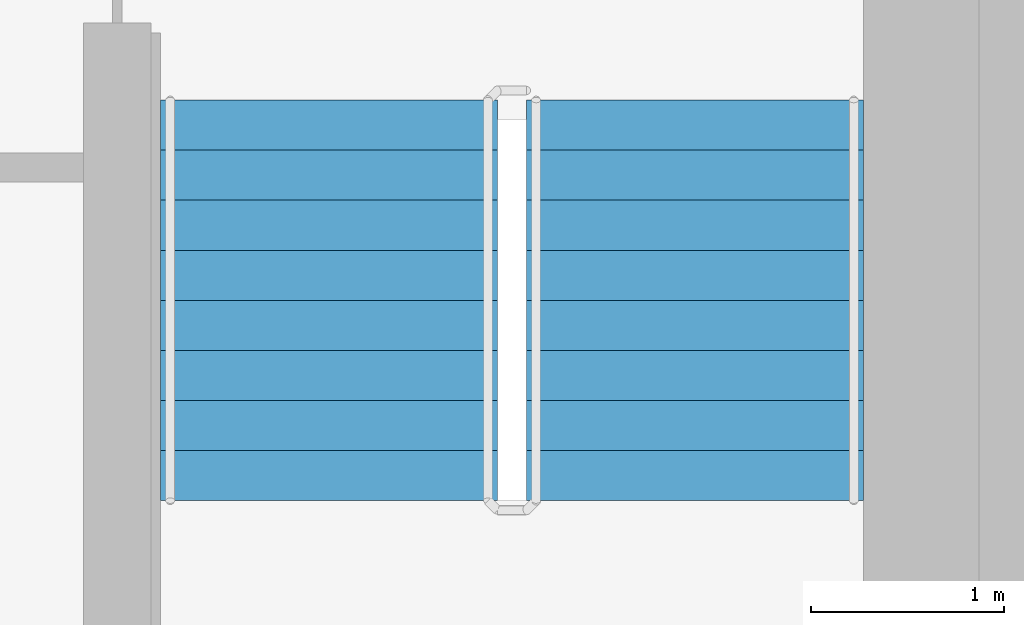
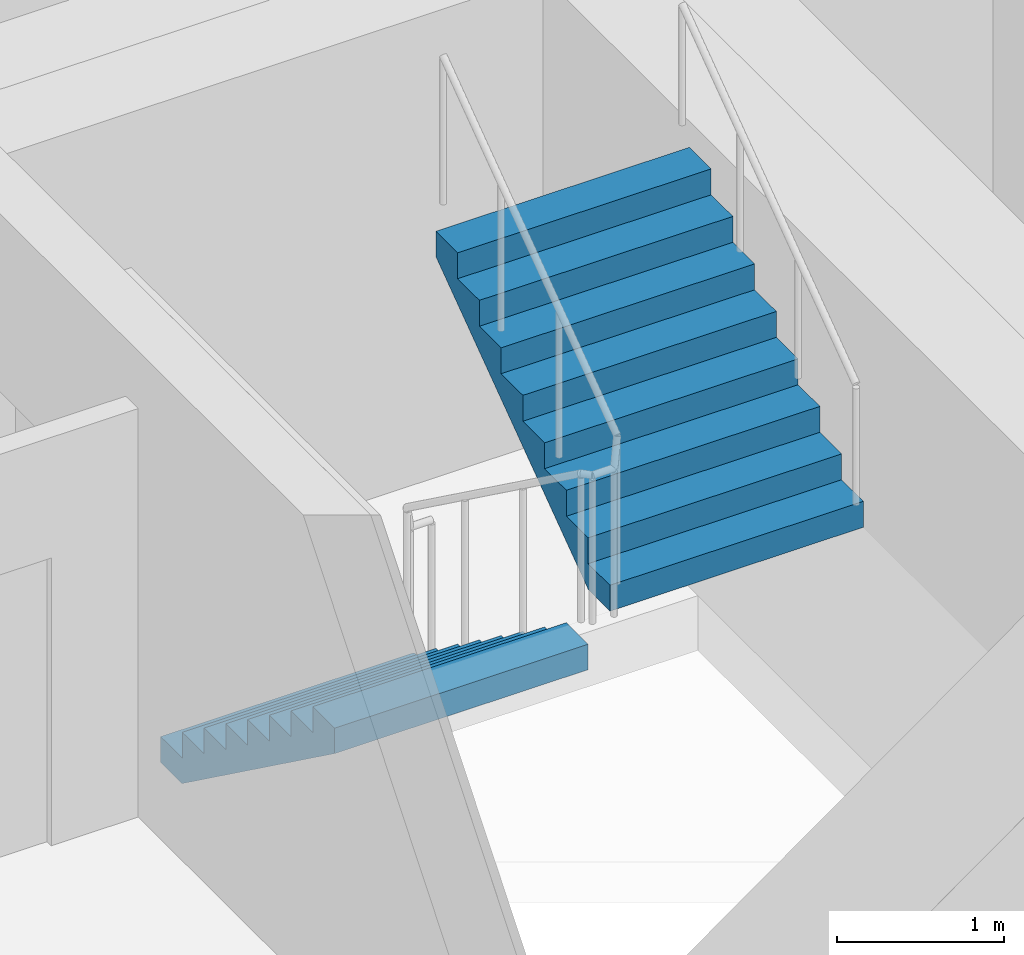
# One storey, part 14 of 18: 2 stair flights, 1 element without a shape of its own.
"""IFC4 building model written with IfcOpenShell, lengths in metres."""

import ifcopenshell
import ifcopenshell.guid

model = None  # the IFC model being written
_history = None  # IfcOwnerHistory: only IFC2X3 demands one
_inside = {}  # id of a spatial element -> (the spatial element, [elements in it])
_under = {}  # id of a project, library or spatial element -> (it, [spatial elements below it])
_declared = {}  # id of a project -> (the project, [libraries it declares])
_typed = {}  # id of a type object -> (the type object, [elements of that type])
_made_of = {}  # id of a material, layer set ... -> (it, [elements and type objects made of it])


def new_model(schema):
    """Start an empty IFC model of exactly this schema.

    Asked for "IFC4X3", IfcOpenShell would pick the latest addendum, in which some entities
    have other attributes; the version numbers below select the first issue.
    IFC2X3 requires an IfcOwnerHistory on every rooted entity: one is made here for all.
    """
    global model, _history
    if schema == "IFC4X3":
        model = ifcopenshell.file(schema_version=(4, 3, 0, 0))
    else:
        model = ifcopenshell.file(schema=schema)
    _inside.clear()
    _under.clear()
    _declared.clear()
    _typed.clear()
    _made_of.clear()
    _history = None
    if model.schema == "IFC2X3":
        org = make("IfcOrganization", Name="unknown")
        user = make(
            "IfcPersonAndOrganization",
            ThePerson=make("IfcPerson", FamilyName="unknown"),
            TheOrganization=org,
        )
        app = make(
            "IfcApplication",
            ApplicationDeveloper=org,
            Version="unknown",
            ApplicationFullName="unknown",
            ApplicationIdentifier="unknown",
        )
        _history = make(
            "IfcOwnerHistory",
            OwningUser=user,
            OwningApplication=app,
            ChangeAction="ADDED",
            CreationDate=0,
        )
    return model


def make(cls, **values):
    """One entity of the class cls with the attributes given. An attribute that is None is left unset."""
    return model.create_entity(
        cls, **{name: value for name, value in values.items() if value is not None}
    )


def rooted(cls, **values):
    """An entity with a GlobalId (a new one), such as an element, a storey or a relation."""
    return make(cls, GlobalId=ifcopenshell.guid.new(), OwnerHistory=_history, **values)


def si_unit(unit_type, name, prefix=None):
    """IfcSIUnit, for example si_unit("LENGTHUNIT", "METRE", prefix="MILLI")."""
    return make("IfcSIUnit", UnitType=unit_type, Prefix=prefix, Name=name)


def assignment(units):
    """IfcUnitAssignment: the units of a project."""
    return None if units is None else make("IfcUnitAssignment", Units=units)


def point(xyz):
    """IfcCartesianPoint."""
    return None if xyz is None else make("IfcCartesianPoint", Coordinates=xyz)


def direction(xyz):
    """IfcDirection."""
    return None if xyz is None else make("IfcDirection", DirectionRatios=xyz)


def frame(location, z_axis=None, x_axis=None):
    """IfcAxis2Placement3D, a coordinate frame: its origin and axes. An axis left out is left unset."""
    return make(
        "IfcAxis2Placement3D",
        Location=point(location),
        Axis=direction(z_axis),
        RefDirection=direction(x_axis),
    )


def origin():
    """The frame at (0, 0, 0) with its axes left unset."""
    return frame((0.0, 0.0, 0.0))


def place(relative_to, where):
    """IfcLocalPlacement: puts the frame where relative to a parent placement (None: the world)."""
    return make(
        "IfcLocalPlacement", PlacementRelTo=relative_to, RelativePlacement=where
    )


def context(
    kind, dimensions, precision=None, world=None, true_north=None, identifier=None
):
    """IfcGeometricRepresentationContext, for example the 3D "Model" context."""
    return make(
        "IfcGeometricRepresentationContext",
        ContextIdentifier=identifier,
        ContextType=kind,
        CoordinateSpaceDimension=dimensions,
        Precision=precision,
        WorldCoordinateSystem=world,
        TrueNorth=true_north,
    )


def subcontext(parent, identifier, kind, view, scale=None):
    """IfcGeometricRepresentationSubContext, for example "Body" below "Model"."""
    return make(
        "IfcGeometricRepresentationSubContext",
        ContextIdentifier=identifier,
        ContextType=kind,
        ParentContext=parent,
        TargetScale=scale,
        TargetView=view,
    )


def project(units=None, contexts=None):
    """IfcProject with its units and contexts."""
    return rooted(
        "IfcProject",
        Name="project",
        RepresentationContexts=contexts,
        UnitsInContext=assignment(units),
    )


def spatial(cls, under=None, at=None, **own):
    """A site, building, storey or space (cls), placed at a placement, below another one or the project."""
    s = rooted(cls, ObjectPlacement=at, **own)
    if under is not None:
        _under.setdefault(under.id(), (under, []))[1].append(s)
    return s


def faces_of(points, faces, orient=None, outer=None):
    """IfcFace entities. A face is a list of loops; a loop is a list of indices into points, from 0.

    orient and outer hold one flag for each loop. By default every Orientation is true, the
    first loop of a face is its IfcFaceOuterBound and the others are IfcFaceBound.
    """
    made = []
    for i, loops in enumerate(faces):
        bounds = []
        for j, loop in enumerate(loops):
            is_outer = j == 0 if outer is None else outer[i][j]
            bounds.append(
                make(
                    "IfcFaceOuterBound" if is_outer else "IfcFaceBound",
                    Bound=make("IfcPolyLoop", Polygon=[points[k] for k in loop]),
                    Orientation=True if orient is None else orient[i][j],
                )
            )
        made.append(make("IfcFace", Bounds=bounds))
    return made


def faceted_brep(points, faces, orient=None, outer=None, voids=None):
    """IfcFacetedBrep: a solid bounded by flat faces; with voids (closed shells), ...WithVoids."""
    shared = [point(p) for p in points]
    hull = make("IfcClosedShell", CfsFaces=faces_of(shared, faces, orient, outer))
    if voids is None:
        return make("IfcFacetedBrep", Outer=hull)
    return make(
        "IfcFacetedBrepWithVoids",
        Outer=hull,
        Voids=[
            make(cls, CfsFaces=faces_of(shared, fs, o, b)) for cls, fs, o, b in voids
        ],
    )


def shape(context_of_items, identifier, shape_type, items):
    """IfcShapeRepresentation: the items that make up one representation, for example the "Body"."""
    return make(
        "IfcShapeRepresentation",
        ContextOfItems=context_of_items,
        RepresentationIdentifier=identifier,
        RepresentationType=shape_type,
        Items=items,
    )


def material(Name=None, Category=None):
    """IfcMaterial."""
    return make("IfcMaterial", Name=Name, Category=Category)


def made_of(thing, what):
    """Note that an element or type object is made of a material, layer set ...; save() writes the relation."""
    if what is not None:
        _made_of.setdefault(what.id(), (what, []))[1].append(thing)
    return thing


def type_object(cls, material=None, **own):
    """A type object (cls), such as IfcWallType, which elements share."""
    return made_of(rooted(cls, **own), material)


def element(
    cls,
    number,
    at=None,
    inside=None,
    cuts=None,
    type_object=None,
    material=None,
    context=None,
    identifier="Body",
    shape_type=None,
    held_by="IfcProductDefinitionShape",
    body=None,
    shapes=None,
    **own,
):
    """One element of the class cls, such as IfcWall. Its Tag is "e" and its number.

    at: its placement. inside: the storey or other place that contains it. cuts: it is an
    opening in that element (IfcRelVoidsElement). A single representation is given by context,
    identifier, shape_type and body (its items); several are given by shapes. held_by: the class
    of the entity that holds the representations. save() writes the other relations.
    """
    e = rooted(cls, Tag="e%d" % number, ObjectPlacement=at, **own)
    if body is not None:
        shapes = [shape(context, identifier, shape_type, body)]
    if shapes is not None:
        e.Representation = make(held_by, Representations=shapes)
    if inside is not None:
        _inside.setdefault(inside.id(), (inside, []))[1].append(e)
    if cuts is not None:
        rooted(
            "IfcRelVoidsElement", RelatingBuildingElement=cuts, RelatedOpeningElement=e
        )
    if type_object is not None:
        _typed.setdefault(type_object.id(), (type_object, []))[1].append(e)
    return made_of(e, material)


def aggregate(whole, parts):
    """IfcRelAggregates: a whole, such as a stair, and the parts it consists of."""
    return rooted("IfcRelAggregates", RelatingObject=whole, RelatedObjects=parts)


def save(model, path):
    """Write the relations noted so far, then the file.

    IfcRelAggregates (storeys below a building ...), IfcRelContainedInSpatialStructure (elements
    in a storey), IfcRelDefinesByType, IfcRelAssociatesMaterial and IfcRelDeclares: one each for
    every whole, place, type object, material and project.
    """
    for whole, parts in _under.values():
        aggregate(whole, parts)
    for where, things in _inside.values():
        rooted(
            "IfcRelContainedInSpatialStructure",
            RelatedElements=things,
            RelatingStructure=where,
        )
    for kind, things in _typed.values():
        rooted("IfcRelDefinesByType", RelatedObjects=things, RelatingType=kind)
    for what, things in _made_of.values():
        rooted("IfcRelAssociatesMaterial", RelatedObjects=things, RelatingMaterial=what)
    for by, libraries in _declared.values():
        rooted("IfcRelDeclares", RelatingContext=by, RelatedDefinitions=libraries)
    model.write(path)


model = new_model("IFC4")

# Units and contexts
model_context = context("Model", 3, precision=1e-05, world=origin(), true_north=direction((0.0, 1.0)))
body_context = subcontext(model_context, "Body", "Model", "MODEL_VIEW")
ifc_project = project(units=[si_unit("LENGTHUNIT", "METRE"), si_unit("AREAUNIT", "SQUARE_METRE"), si_unit("VOLUMEUNIT", "CUBIC_METRE"), si_unit("PLANEANGLEUNIT", "RADIAN"), si_unit("MASSUNIT", "GRAM", prefix="KILO")], contexts=[model_context])

# Site, building, storey
site_placement = place(None, origin())
site = spatial("IfcSite", under=ifc_project, at=site_placement, CompositionType="ELEMENT")
building_placement = place(site_placement, origin())
building = spatial("IfcBuilding", under=site, at=building_placement, Name="Ipe Terrace Towers", CompositionType="ELEMENT")
storey_placement = place(building_placement, frame((0.0, 0.0, 230.0)))
storey = spatial("IfcBuildingStorey", under=building, at=storey_placement, Name="L64", CompositionType="ELEMENT", Elevation=230.0)

# Stair, stair flights
ifc_material_1 = material(Name="Concrete C30/37", Category="concrete")
stair_type = type_object("IfcStairType", Name="Protected exit stair", PredefinedType="HALF_TURN_STAIR", material=ifc_material_1)
stair_placement = place(storey_placement, origin())
stair = element("IfcStair", 1, at=stair_placement, inside=storey, type_object=stair_type, Name="L64 Exit stair T2-C2", PredefinedType="HALF_TURN_STAIR")
ifc_material_2 = material(Name="Concrete C30/37", Category="concrete")
stair_flight_type = type_object("IfcStairFlightType", Name="Exit stair flight 1750", PredefinedType="STRAIGHT", material=ifc_material_2)
stair_flight_1_placement = place(storey_placement, frame((38.77490234375, -9.699951171875, 0.0), z_axis=(0.0, 0.0, 1.0), x_axis=(0.0, -1.0, 0.0)))
stair_flight_1 = element("IfcStairFlight", 2, at=stair_flight_1_placement, type_object=stair_flight_type, Name="T2-ST2 flight 1", NumberOfRisers=9, NumberOfTreads=8, PredefinedType="STRAIGHT", RiserHeight=0.188888889, TreadLength=0.26, context=body_context, shape_type="Brep", body=[
    faceted_brep([(0.255126953125, -0.875, 0.0), (2.080078125, -0.875, 1.325927734375), (2.080078125, -0.875, 1.51123046875), (1.820068359375, -0.875, 1.51123046875), (1.820068359375, -0.875, 1.322265625), (1.56005859375, -0.875, 1.322265625), (1.56005859375, -0.875, 1.13330078125), (1.300048828125, -0.875, 1.13330078125), (1.300048828125, -0.875, 0.9443359375), (1.0400390625, -0.875, 0.9443359375), (1.0400390625, -0.875, 0.755615234375), (0.780029296875, -0.875, 0.755615234375), (0.780029296875, -0.875, 0.566650390625), (0.52001953125, -0.875, 0.566650390625), (0.52001953125, -0.875, 0.377685546875), (0.260009765625, -0.875, 0.377685546875), (0.260009765625, -0.875, 0.18896484375), (0.0, -0.875, 0.18896484375), (0.0, -0.875, 0.0), (0.0, 0.875, 0.0), (0.0, 0.875, 0.18896484375), (0.260009765625, 0.875, 0.18896484375), (0.260009765625, 0.875, 0.377685546875), (0.52001953125, 0.875, 0.377685546875), (0.52001953125, 0.875, 0.566650390625), (0.780029296875, 0.875, 0.566650390625), (0.780029296875, 0.875, 0.755615234375), (1.0400390625, 0.875, 0.755615234375), (1.0400390625, 0.875, 0.9443359375), (1.300048828125, 0.875, 0.9443359375), (1.300048828125, 0.875, 1.13330078125), (1.56005859375, 0.875, 1.13330078125), (1.56005859375, 0.875, 1.322265625), (1.820068359375, 0.875, 1.322265625), (1.820068359375, 0.875, 1.51123046875), (2.080078125, 0.875, 1.51123046875), (2.080078125, 0.875, 1.325927734375), (0.255126953125, 0.875, 0.0), (0.0, -0.300048828125, 0.18896484375), (0.0, -0.1201171875, 0.18896484375), (0.0, -0.06005859375, 0.18896484375), (0.0, -0.030029296875, 0.18896484375), (0.0, -0.010009765625, 0.18896484375), (0.0, 0.0, 0.18896484375), (0.0, 0.010009765625, 0.18896484375), (0.0, 0.030029296875, 0.18896484375), (0.0, 0.06005859375, 0.18896484375), (0.0, 0.1201171875, 0.18896484375), (0.0, 0.300048828125, 0.18896484375), (0.0, 0.300048828125, 0.0), (0.0, 0.1201171875, 0.0), (0.0, 0.06005859375, 0.0), (0.0, 0.030029296875, 0.0), (0.0, 0.010009765625, 0.0), (0.0, 0.0, 0.0), (0.0, -0.010009765625, 0.0), (0.0, -0.030029296875, 0.0), (0.0, -0.06005859375, 0.0), (0.0, -0.1201171875, 0.0), (0.0, -0.300048828125, 0.0), (0.260009765625, -0.300048828125, 0.18896484375), (0.260009765625, -0.1201171875, 0.18896484375), (0.260009765625, -0.06005859375, 0.18896484375), (0.260009765625, -0.030029296875, 0.18896484375), (0.260009765625, -0.010009765625, 0.18896484375), (0.260009765625, 0.0, 0.18896484375), (0.260009765625, 0.010009765625, 0.18896484375), (0.260009765625, 0.030029296875, 0.18896484375), (0.260009765625, 0.06005859375, 0.18896484375), (0.260009765625, 0.1201171875, 0.18896484375), (0.260009765625, 0.300048828125, 0.18896484375), (0.260009765625, -0.300048828125, 0.377685546875), (0.260009765625, -0.1201171875, 0.377685546875), (0.260009765625, -0.06005859375, 0.377685546875), (0.260009765625, -0.030029296875, 0.377685546875), (0.260009765625, -0.010009765625, 0.377685546875), (0.260009765625, 0.0, 0.377685546875), (0.260009765625, 0.010009765625, 0.377685546875), (0.260009765625, 0.030029296875, 0.377685546875), (0.260009765625, 0.06005859375, 0.377685546875), (0.260009765625, 0.1201171875, 0.377685546875), (0.260009765625, 0.300048828125, 0.377685546875), (0.52001953125, -0.300048828125, 0.377685546875), (0.52001953125, -0.1201171875, 0.377685546875), (0.52001953125, -0.06005859375, 0.377685546875), (0.52001953125, -0.030029296875, 0.377685546875), (0.52001953125, -0.010009765625, 0.377685546875), (0.52001953125, 0.0, 0.377685546875), (0.52001953125, 0.010009765625, 0.377685546875), (0.52001953125, 0.030029296875, 0.377685546875), (0.52001953125, 0.06005859375, 0.377685546875), (0.52001953125, 0.1201171875, 0.377685546875), (0.52001953125, 0.300048828125, 0.377685546875), (0.52001953125, -0.300048828125, 0.566650390625), (0.52001953125, -0.1201171875, 0.566650390625), (0.52001953125, -0.06005859375, 0.566650390625), (0.52001953125, -0.030029296875, 0.566650390625), (0.52001953125, -0.010009765625, 0.566650390625), (0.52001953125, 0.0, 0.566650390625), (0.52001953125, 0.010009765625, 0.566650390625), (0.52001953125, 0.030029296875, 0.566650390625), (0.52001953125, 0.06005859375, 0.566650390625), (0.52001953125, 0.1201171875, 0.566650390625), (0.52001953125, 0.300048828125, 0.566650390625), (0.780029296875, -0.300048828125, 0.566650390625), (0.780029296875, -0.1201171875, 0.566650390625), (0.780029296875, -0.06005859375, 0.566650390625), (0.780029296875, -0.030029296875, 0.566650390625), (0.780029296875, -0.010009765625, 0.566650390625), (0.780029296875, 0.0, 0.566650390625), (0.780029296875, 0.010009765625, 0.566650390625), (0.780029296875, 0.030029296875, 0.566650390625), (0.780029296875, 0.06005859375, 0.566650390625), (0.780029296875, 0.1201171875, 0.566650390625), (0.780029296875, 0.300048828125, 0.566650390625), (0.780029296875, -0.300048828125, 0.755615234375), (0.780029296875, -0.1201171875, 0.755615234375), (0.780029296875, -0.06005859375, 0.755615234375), (0.780029296875, -0.030029296875, 0.755615234375), (0.780029296875, -0.010009765625, 0.755615234375), (0.780029296875, 0.0, 0.755615234375), (0.780029296875, 0.010009765625, 0.755615234375), (0.780029296875, 0.030029296875, 0.755615234375), (0.780029296875, 0.06005859375, 0.755615234375), (0.780029296875, 0.1201171875, 0.755615234375), (0.780029296875, 0.300048828125, 0.755615234375), (1.0400390625, -0.300048828125, 0.755615234375), (1.0400390625, -0.1201171875, 0.755615234375), (1.0400390625, -0.06005859375, 0.755615234375), (1.0400390625, -0.030029296875, 0.755615234375), (1.0400390625, -0.010009765625, 0.755615234375), (1.0400390625, 0.0, 0.755615234375), (1.0400390625, 0.010009765625, 0.755615234375), (1.0400390625, 0.030029296875, 0.755615234375), (1.0400390625, 0.06005859375, 0.755615234375), (1.0400390625, 0.1201171875, 0.755615234375), (1.0400390625, 0.300048828125, 0.755615234375), (1.0400390625, -0.300048828125, 0.9443359375), (1.0400390625, -0.1201171875, 0.9443359375), (1.0400390625, -0.06005859375, 0.9443359375), (1.0400390625, -0.030029296875, 0.9443359375), (1.0400390625, -0.010009765625, 0.9443359375), (1.0400390625, 0.0, 0.9443359375), (1.0400390625, 0.010009765625, 0.9443359375), (1.0400390625, 0.030029296875, 0.9443359375), (1.0400390625, 0.06005859375, 0.9443359375), (1.0400390625, 0.1201171875, 0.9443359375), (1.0400390625, 0.300048828125, 0.9443359375), (1.300048828125, -0.300048828125, 0.9443359375), (1.300048828125, -0.1201171875, 0.9443359375), (1.300048828125, -0.06005859375, 0.9443359375), (1.300048828125, -0.030029296875, 0.9443359375), (1.300048828125, -0.010009765625, 0.9443359375), (1.300048828125, 0.0, 0.9443359375), (1.300048828125, 0.010009765625, 0.9443359375), (1.300048828125, 0.030029296875, 0.9443359375), (1.300048828125, 0.06005859375, 0.9443359375), (1.300048828125, 0.1201171875, 0.9443359375), (1.300048828125, 0.300048828125, 0.9443359375), (1.300048828125, -0.300048828125, 1.13330078125), (1.300048828125, -0.1201171875, 1.13330078125), (1.300048828125, -0.06005859375, 1.13330078125), (1.300048828125, -0.030029296875, 1.13330078125), (1.300048828125, -0.010009765625, 1.13330078125), (1.300048828125, 0.0, 1.13330078125), (1.300048828125, 0.010009765625, 1.13330078125), (1.300048828125, 0.030029296875, 1.13330078125), (1.300048828125, 0.06005859375, 1.13330078125), (1.300048828125, 0.1201171875, 1.13330078125), (1.300048828125, 0.300048828125, 1.13330078125), (1.56005859375, -0.300048828125, 1.13330078125), (1.56005859375, -0.1201171875, 1.13330078125), (1.56005859375, -0.06005859375, 1.13330078125), (1.56005859375, -0.030029296875, 1.13330078125), (1.56005859375, -0.010009765625, 1.13330078125), (1.56005859375, 0.0, 1.13330078125), (1.56005859375, 0.010009765625, 1.13330078125), (1.56005859375, 0.030029296875, 1.13330078125), (1.56005859375, 0.06005859375, 1.13330078125), (1.56005859375, 0.1201171875, 1.13330078125), (1.56005859375, 0.300048828125, 1.13330078125), (1.56005859375, -0.300048828125, 1.322265625), (1.56005859375, -0.1201171875, 1.322265625), (1.56005859375, -0.06005859375, 1.322265625), (1.56005859375, -0.030029296875, 1.322265625), (1.56005859375, -0.010009765625, 1.322265625), (1.56005859375, 0.0, 1.322265625), (1.56005859375, 0.010009765625, 1.322265625), (1.56005859375, 0.030029296875, 1.322265625), (1.56005859375, 0.06005859375, 1.322265625), (1.56005859375, 0.1201171875, 1.322265625), (1.56005859375, 0.300048828125, 1.322265625), (1.820068359375, -0.300048828125, 1.322265625), (1.820068359375, -0.1201171875, 1.322265625), (1.820068359375, -0.06005859375, 1.322265625), (1.820068359375, -0.030029296875, 1.322265625), (1.820068359375, -0.010009765625, 1.322265625), (1.820068359375, 0.0, 1.322265625), (1.820068359375, 0.010009765625, 1.322265625), (1.820068359375, 0.030029296875, 1.322265625), (1.820068359375, 0.06005859375, 1.322265625), (1.820068359375, 0.1201171875, 1.322265625), (1.820068359375, 0.300048828125, 1.322265625), (1.820068359375, -0.300048828125, 1.51123046875), (1.820068359375, -0.1201171875, 1.51123046875), (1.820068359375, -0.06005859375, 1.51123046875), (1.820068359375, -0.030029296875, 1.51123046875), (1.820068359375, -0.010009765625, 1.51123046875), (1.820068359375, 0.0, 1.51123046875), (1.820068359375, 0.010009765625, 1.51123046875), (1.820068359375, 0.030029296875, 1.51123046875), (1.820068359375, 0.06005859375, 1.51123046875), (1.820068359375, 0.1201171875, 1.51123046875), (1.820068359375, 0.300048828125, 1.51123046875), (2.080078125, -0.300048828125, 1.51123046875), (2.080078125, -0.1201171875, 1.51123046875), (2.080078125, -0.06005859375, 1.51123046875), (2.080078125, -0.030029296875, 1.51123046875), (2.080078125, -0.010009765625, 1.51123046875), (2.080078125, 0.0, 1.51123046875), (2.080078125, 0.010009765625, 1.51123046875), (2.080078125, 0.030029296875, 1.51123046875), (2.080078125, 0.06005859375, 1.51123046875), (2.080078125, 0.1201171875, 1.51123046875), (2.080078125, 0.300048828125, 1.51123046875), (2.080078125, -0.300048828125, 1.325927734375), (2.080078125, -0.1201171875, 1.325927734375), (2.080078125, -0.06005859375, 1.325927734375), (2.080078125, -0.030029296875, 1.325927734375), (2.080078125, -0.010009765625, 1.325927734375), (2.080078125, 0.0, 1.325927734375), (2.080078125, 0.010009765625, 1.325927734375), (2.080078125, 0.030029296875, 1.325927734375), (2.080078125, 0.06005859375, 1.325927734375), (2.080078125, 0.1201171875, 1.325927734375), (2.080078125, 0.300048828125, 1.325927734375), (0.255126953125, -0.300048828125, 0.0), (0.255126953125, -0.1201171875, 0.0), (0.255126953125, -0.06005859375, 0.0), (0.255126953125, -0.030029296875, 0.0), (0.255126953125, -0.010009765625, 0.0), (0.255126953125, 0.0, 0.0), (0.255126953125, 0.010009765625, 0.0), (0.255126953125, 0.030029296875, 0.0), (0.255126953125, 0.06005859375, 0.0), (0.255126953125, 0.1201171875, 0.0), (0.255126953125, 0.300048828125, 0.0)], [[[0, 1, 2, 3, 4, 5, 6, 7, 8, 9, 10, 11, 12, 13, 14, 15, 16, 17, 18]], [[19, 20, 21, 22, 23, 24, 25, 26, 27, 28, 29, 30, 31, 32, 33, 34, 35, 36, 37]], [[17, 38, 39, 40, 41, 42, 43, 44, 45, 46, 47, 48, 20, 19, 49, 50, 51, 52, 53, 54, 55, 56, 57, 58, 59, 18]], [[16, 60, 61, 62, 63, 64, 65, 66, 67, 68, 69, 70, 21, 20, 48, 47, 46, 45, 44, 43, 42, 41, 40, 39, 38, 17]], [[15, 71, 72, 73, 74, 75, 76, 77, 78, 79, 80, 81, 22, 21, 70, 69, 68, 67, 66, 65, 64, 63, 62, 61, 60, 16]], [[14, 82, 83, 84, 85, 86, 87, 88, 89, 90, 91, 92, 23, 22, 81, 80, 79, 78, 77, 76, 75, 74, 73, 72, 71, 15]], [[13, 93, 94, 95, 96, 97, 98, 99, 100, 101, 102, 103, 24, 23, 92, 91, 90, 89, 88, 87, 86, 85, 84, 83, 82, 14]], [[12, 104, 105, 106, 107, 108, 109, 110, 111, 112, 113, 114, 25, 24, 103, 102, 101, 100, 99, 98, 97, 96, 95, 94, 93, 13]], [[11, 115, 116, 117, 118, 119, 120, 121, 122, 123, 124, 125, 26, 25, 114, 113, 112, 111, 110, 109, 108, 107, 106, 105, 104, 12]], [[10, 126, 127, 128, 129, 130, 131, 132, 133, 134, 135, 136, 27, 26, 125, 124, 123, 122, 121, 120, 119, 118, 117, 116, 115, 11]], [[9, 137, 138, 139, 140, 141, 142, 143, 144, 145, 146, 147, 28, 27, 136, 135, 134, 133, 132, 131, 130, 129, 128, 127, 126, 10]], [[8, 148, 149, 150, 151, 152, 153, 154, 155, 156, 157, 158, 29, 28, 147, 146, 145, 144, 143, 142, 141, 140, 139, 138, 137, 9]], [[7, 159, 160, 161, 162, 163, 164, 165, 166, 167, 168, 169, 30, 29, 158, 157, 156, 155, 154, 153, 152, 151, 150, 149, 148, 8]], [[6, 170, 171, 172, 173, 174, 175, 176, 177, 178, 179, 180, 31, 30, 169, 168, 167, 166, 165, 164, 163, 162, 161, 160, 159, 7]], [[5, 181, 182, 183, 184, 185, 186, 187, 188, 189, 190, 191, 32, 31, 180, 179, 178, 177, 176, 175, 174, 173, 172, 171, 170, 6]], [[4, 192, 193, 194, 195, 196, 197, 198, 199, 200, 201, 202, 33, 32, 191, 190, 189, 188, 187, 186, 185, 184, 183, 182, 181, 5]], [[3, 203, 204, 205, 206, 207, 208, 209, 210, 211, 212, 213, 34, 33, 202, 201, 200, 199, 198, 197, 196, 195, 194, 193, 192, 4]], [[2, 214, 215, 216, 217, 218, 219, 220, 221, 222, 223, 224, 35, 34, 213, 212, 211, 210, 209, 208, 207, 206, 205, 204, 203, 3]], [[1, 225, 226, 227, 228, 229, 230, 231, 232, 233, 234, 235, 36, 35, 224, 223, 222, 221, 220, 219, 218, 217, 216, 215, 214, 2]], [[0, 236, 237, 238, 239, 240, 241, 242, 243, 244, 245, 246, 37, 36, 235, 234, 233, 232, 231, 230, 229, 228, 227, 226, 225, 1]], [[18, 59, 58, 57, 56, 55, 54, 53, 52, 51, 50, 49, 19, 37, 246, 245, 244, 243, 242, 241, 240, 239, 238, 237, 236, 0]]]),
])
stair_flight_2_placement = place(storey_placement, frame((40.675048828125, -11.780029296875, 1.699951171875), z_axis=(0.0, 0.0, 1.0), x_axis=(0.0, 1.0, 0.0)))
stair_flight_2 = element("IfcStairFlight", 3, at=stair_flight_2_placement, type_object=stair_flight_type, Name="T2-ST2 flight 2", NumberOfRisers=9, NumberOfTreads=8, PredefinedType="STRAIGHT", RiserHeight=0.188888889, TreadLength=0.26, context=body_context, shape_type="Brep", body=[
    faceted_brep([(0.255126953125, -0.875, 0.0), (2.080078125, -0.875, 1.325927734375), (2.080078125, -0.875, 1.51123046875), (1.820068359375, -0.875, 1.51123046875), (1.820068359375, -0.875, 1.322265625), (1.56005859375, -0.875, 1.322265625), (1.56005859375, -0.875, 1.13330078125), (1.300048828125, -0.875, 1.13330078125), (1.300048828125, -0.875, 0.9443359375), (1.0400390625, -0.875, 0.9443359375), (1.0400390625, -0.875, 0.755615234375), (0.780029296875, -0.875, 0.755615234375), (0.780029296875, -0.875, 0.566650390625), (0.52001953125, -0.875, 0.566650390625), (0.52001953125, -0.875, 0.377685546875), (0.260009765625, -0.875, 0.377685546875), (0.260009765625, -0.875, 0.18896484375), (0.0, -0.875, 0.18896484375), (0.0, -0.875, 0.0), (0.0, 0.875, 0.0), (0.0, 0.875, 0.18896484375), (0.260009765625, 0.875, 0.18896484375), (0.260009765625, 0.875, 0.377685546875), (0.52001953125, 0.875, 0.377685546875), (0.52001953125, 0.875, 0.566650390625), (0.780029296875, 0.875, 0.566650390625), (0.780029296875, 0.875, 0.755615234375), (1.0400390625, 0.875, 0.755615234375), (1.0400390625, 0.875, 0.9443359375), (1.300048828125, 0.875, 0.9443359375), (1.300048828125, 0.875, 1.13330078125), (1.56005859375, 0.875, 1.13330078125), (1.56005859375, 0.875, 1.322265625), (1.820068359375, 0.875, 1.322265625), (1.820068359375, 0.875, 1.51123046875), (2.080078125, 0.875, 1.51123046875), (2.080078125, 0.875, 1.325927734375), (0.255126953125, 0.875, 0.0), (0.0, -0.300048828125, 0.18896484375), (0.0, -0.1201171875, 0.18896484375), (0.0, -0.06005859375, 0.18896484375), (0.0, -0.030029296875, 0.18896484375), (0.0, -0.010009765625, 0.18896484375), (0.0, 0.0, 0.18896484375), (0.0, 0.010009765625, 0.18896484375), (0.0, 0.030029296875, 0.18896484375), (0.0, 0.06005859375, 0.18896484375), (0.0, 0.1201171875, 0.18896484375), (0.0, 0.300048828125, 0.18896484375), (0.0, 0.300048828125, 0.0), (0.0, 0.1201171875, 0.0), (0.0, 0.06005859375, 0.0), (0.0, 0.030029296875, 0.0), (0.0, 0.010009765625, 0.0), (0.0, 0.0, 0.0), (0.0, -0.010009765625, 0.0), (0.0, -0.030029296875, 0.0), (0.0, -0.06005859375, 0.0), (0.0, -0.1201171875, 0.0), (0.0, -0.300048828125, 0.0), (0.260009765625, -0.300048828125, 0.18896484375), (0.260009765625, -0.1201171875, 0.18896484375), (0.260009765625, -0.06005859375, 0.18896484375), (0.260009765625, -0.030029296875, 0.18896484375), (0.260009765625, -0.010009765625, 0.18896484375), (0.260009765625, 0.0, 0.18896484375), (0.260009765625, 0.010009765625, 0.18896484375), (0.260009765625, 0.030029296875, 0.18896484375), (0.260009765625, 0.06005859375, 0.18896484375), (0.260009765625, 0.1201171875, 0.18896484375), (0.260009765625, 0.300048828125, 0.18896484375), (0.260009765625, -0.300048828125, 0.377685546875), (0.260009765625, -0.1201171875, 0.377685546875), (0.260009765625, -0.06005859375, 0.377685546875), (0.260009765625, -0.030029296875, 0.377685546875), (0.260009765625, -0.010009765625, 0.377685546875), (0.260009765625, 0.0, 0.377685546875), (0.260009765625, 0.010009765625, 0.377685546875), (0.260009765625, 0.030029296875, 0.377685546875), (0.260009765625, 0.06005859375, 0.377685546875), (0.260009765625, 0.1201171875, 0.377685546875), (0.260009765625, 0.300048828125, 0.377685546875), (0.52001953125, -0.300048828125, 0.377685546875), (0.52001953125, -0.1201171875, 0.377685546875), (0.52001953125, -0.06005859375, 0.377685546875), (0.52001953125, -0.030029296875, 0.377685546875), (0.52001953125, -0.010009765625, 0.377685546875), (0.52001953125, 0.0, 0.377685546875), (0.52001953125, 0.010009765625, 0.377685546875), (0.52001953125, 0.030029296875, 0.377685546875), (0.52001953125, 0.06005859375, 0.377685546875), (0.52001953125, 0.1201171875, 0.377685546875), (0.52001953125, 0.300048828125, 0.377685546875), (0.52001953125, -0.300048828125, 0.566650390625), (0.52001953125, -0.1201171875, 0.566650390625), (0.52001953125, -0.06005859375, 0.566650390625), (0.52001953125, -0.030029296875, 0.566650390625), (0.52001953125, -0.010009765625, 0.566650390625), (0.52001953125, 0.0, 0.566650390625), (0.52001953125, 0.010009765625, 0.566650390625), (0.52001953125, 0.030029296875, 0.566650390625), (0.52001953125, 0.06005859375, 0.566650390625), (0.52001953125, 0.1201171875, 0.566650390625), (0.52001953125, 0.300048828125, 0.566650390625), (0.780029296875, -0.300048828125, 0.566650390625), (0.780029296875, -0.1201171875, 0.566650390625), (0.780029296875, -0.06005859375, 0.566650390625), (0.780029296875, -0.030029296875, 0.566650390625), (0.780029296875, -0.010009765625, 0.566650390625), (0.780029296875, 0.0, 0.566650390625), (0.780029296875, 0.010009765625, 0.566650390625), (0.780029296875, 0.030029296875, 0.566650390625), (0.780029296875, 0.06005859375, 0.566650390625), (0.780029296875, 0.1201171875, 0.566650390625), (0.780029296875, 0.300048828125, 0.566650390625), (0.780029296875, -0.300048828125, 0.755615234375), (0.780029296875, -0.1201171875, 0.755615234375), (0.780029296875, -0.06005859375, 0.755615234375), (0.780029296875, -0.030029296875, 0.755615234375), (0.780029296875, -0.010009765625, 0.755615234375), (0.780029296875, 0.0, 0.755615234375), (0.780029296875, 0.010009765625, 0.755615234375), (0.780029296875, 0.030029296875, 0.755615234375), (0.780029296875, 0.06005859375, 0.755615234375), (0.780029296875, 0.1201171875, 0.755615234375), (0.780029296875, 0.300048828125, 0.755615234375), (1.0400390625, -0.300048828125, 0.755615234375), (1.0400390625, -0.1201171875, 0.755615234375), (1.0400390625, -0.06005859375, 0.755615234375), (1.0400390625, -0.030029296875, 0.755615234375), (1.0400390625, -0.010009765625, 0.755615234375), (1.0400390625, 0.0, 0.755615234375), (1.0400390625, 0.010009765625, 0.755615234375), (1.0400390625, 0.030029296875, 0.755615234375), (1.0400390625, 0.06005859375, 0.755615234375), (1.0400390625, 0.1201171875, 0.755615234375), (1.0400390625, 0.300048828125, 0.755615234375), (1.0400390625, -0.300048828125, 0.9443359375), (1.0400390625, -0.1201171875, 0.9443359375), (1.0400390625, -0.06005859375, 0.9443359375), (1.0400390625, -0.030029296875, 0.9443359375), (1.0400390625, -0.010009765625, 0.9443359375), (1.0400390625, 0.0, 0.9443359375), (1.0400390625, 0.010009765625, 0.9443359375), (1.0400390625, 0.030029296875, 0.9443359375), (1.0400390625, 0.06005859375, 0.9443359375), (1.0400390625, 0.1201171875, 0.9443359375), (1.0400390625, 0.300048828125, 0.9443359375), (1.300048828125, -0.300048828125, 0.9443359375), (1.300048828125, -0.1201171875, 0.9443359375), (1.300048828125, -0.06005859375, 0.9443359375), (1.300048828125, -0.030029296875, 0.9443359375), (1.300048828125, -0.010009765625, 0.9443359375), (1.300048828125, 0.0, 0.9443359375), (1.300048828125, 0.010009765625, 0.9443359375), (1.300048828125, 0.030029296875, 0.9443359375), (1.300048828125, 0.06005859375, 0.9443359375), (1.300048828125, 0.1201171875, 0.9443359375), (1.300048828125, 0.300048828125, 0.9443359375), (1.300048828125, -0.300048828125, 1.13330078125), (1.300048828125, -0.1201171875, 1.13330078125), (1.300048828125, -0.06005859375, 1.13330078125), (1.300048828125, -0.030029296875, 1.13330078125), (1.300048828125, -0.010009765625, 1.13330078125), (1.300048828125, 0.0, 1.13330078125), (1.300048828125, 0.010009765625, 1.13330078125), (1.300048828125, 0.030029296875, 1.13330078125), (1.300048828125, 0.06005859375, 1.13330078125), (1.300048828125, 0.1201171875, 1.13330078125), (1.300048828125, 0.300048828125, 1.13330078125), (1.56005859375, -0.300048828125, 1.13330078125), (1.56005859375, -0.1201171875, 1.13330078125), (1.56005859375, -0.06005859375, 1.13330078125), (1.56005859375, -0.030029296875, 1.13330078125), (1.56005859375, -0.010009765625, 1.13330078125), (1.56005859375, 0.0, 1.13330078125), (1.56005859375, 0.010009765625, 1.13330078125), (1.56005859375, 0.030029296875, 1.13330078125), (1.56005859375, 0.06005859375, 1.13330078125), (1.56005859375, 0.1201171875, 1.13330078125), (1.56005859375, 0.300048828125, 1.13330078125), (1.56005859375, -0.300048828125, 1.322265625), (1.56005859375, -0.1201171875, 1.322265625), (1.56005859375, -0.06005859375, 1.322265625), (1.56005859375, -0.030029296875, 1.322265625), (1.56005859375, -0.010009765625, 1.322265625), (1.56005859375, 0.0, 1.322265625), (1.56005859375, 0.010009765625, 1.322265625), (1.56005859375, 0.030029296875, 1.322265625), (1.56005859375, 0.06005859375, 1.322265625), (1.56005859375, 0.1201171875, 1.322265625), (1.56005859375, 0.300048828125, 1.322265625), (1.820068359375, -0.300048828125, 1.322265625), (1.820068359375, -0.1201171875, 1.322265625), (1.820068359375, -0.06005859375, 1.322265625), (1.820068359375, -0.030029296875, 1.322265625), (1.820068359375, -0.010009765625, 1.322265625), (1.820068359375, 0.0, 1.322265625), (1.820068359375, 0.010009765625, 1.322265625), (1.820068359375, 0.030029296875, 1.322265625), (1.820068359375, 0.06005859375, 1.322265625), (1.820068359375, 0.1201171875, 1.322265625), (1.820068359375, 0.300048828125, 1.322265625), (1.820068359375, -0.300048828125, 1.51123046875), (1.820068359375, -0.1201171875, 1.51123046875), (1.820068359375, -0.06005859375, 1.51123046875), (1.820068359375, -0.030029296875, 1.51123046875), (1.820068359375, -0.010009765625, 1.51123046875), (1.820068359375, 0.0, 1.51123046875), (1.820068359375, 0.010009765625, 1.51123046875), (1.820068359375, 0.030029296875, 1.51123046875), (1.820068359375, 0.06005859375, 1.51123046875), (1.820068359375, 0.1201171875, 1.51123046875), (1.820068359375, 0.300048828125, 1.51123046875), (2.080078125, -0.300048828125, 1.51123046875), (2.080078125, -0.1201171875, 1.51123046875), (2.080078125, -0.06005859375, 1.51123046875), (2.080078125, -0.030029296875, 1.51123046875), (2.080078125, -0.010009765625, 1.51123046875), (2.080078125, 0.0, 1.51123046875), (2.080078125, 0.010009765625, 1.51123046875), (2.080078125, 0.030029296875, 1.51123046875), (2.080078125, 0.06005859375, 1.51123046875), (2.080078125, 0.1201171875, 1.51123046875), (2.080078125, 0.300048828125, 1.51123046875), (2.080078125, -0.300048828125, 1.325927734375), (2.080078125, -0.1201171875, 1.325927734375), (2.080078125, -0.06005859375, 1.325927734375), (2.080078125, -0.030029296875, 1.325927734375), (2.080078125, -0.010009765625, 1.325927734375), (2.080078125, 0.0, 1.325927734375), (2.080078125, 0.010009765625, 1.325927734375), (2.080078125, 0.030029296875, 1.325927734375), (2.080078125, 0.06005859375, 1.325927734375), (2.080078125, 0.1201171875, 1.325927734375), (2.080078125, 0.300048828125, 1.325927734375), (0.255126953125, -0.300048828125, 0.0), (0.255126953125, -0.1201171875, 0.0), (0.255126953125, -0.06005859375, 0.0), (0.255126953125, -0.030029296875, 0.0), (0.255126953125, -0.010009765625, 0.0), (0.255126953125, 0.0, 0.0), (0.255126953125, 0.010009765625, 0.0), (0.255126953125, 0.030029296875, 0.0), (0.255126953125, 0.06005859375, 0.0), (0.255126953125, 0.1201171875, 0.0), (0.255126953125, 0.300048828125, 0.0)], [[[0, 1, 2, 3, 4, 5, 6, 7, 8, 9, 10, 11, 12, 13, 14, 15, 16, 17, 18]], [[19, 20, 21, 22, 23, 24, 25, 26, 27, 28, 29, 30, 31, 32, 33, 34, 35, 36, 37]], [[17, 38, 39, 40, 41, 42, 43, 44, 45, 46, 47, 48, 20, 19, 49, 50, 51, 52, 53, 54, 55, 56, 57, 58, 59, 18]], [[16, 60, 61, 62, 63, 64, 65, 66, 67, 68, 69, 70, 21, 20, 48, 47, 46, 45, 44, 43, 42, 41, 40, 39, 38, 17]], [[15, 71, 72, 73, 74, 75, 76, 77, 78, 79, 80, 81, 22, 21, 70, 69, 68, 67, 66, 65, 64, 63, 62, 61, 60, 16]], [[14, 82, 83, 84, 85, 86, 87, 88, 89, 90, 91, 92, 23, 22, 81, 80, 79, 78, 77, 76, 75, 74, 73, 72, 71, 15]], [[13, 93, 94, 95, 96, 97, 98, 99, 100, 101, 102, 103, 24, 23, 92, 91, 90, 89, 88, 87, 86, 85, 84, 83, 82, 14]], [[12, 104, 105, 106, 107, 108, 109, 110, 111, 112, 113, 114, 25, 24, 103, 102, 101, 100, 99, 98, 97, 96, 95, 94, 93, 13]], [[11, 115, 116, 117, 118, 119, 120, 121, 122, 123, 124, 125, 26, 25, 114, 113, 112, 111, 110, 109, 108, 107, 106, 105, 104, 12]], [[10, 126, 127, 128, 129, 130, 131, 132, 133, 134, 135, 136, 27, 26, 125, 124, 123, 122, 121, 120, 119, 118, 117, 116, 115, 11]], [[9, 137, 138, 139, 140, 141, 142, 143, 144, 145, 146, 147, 28, 27, 136, 135, 134, 133, 132, 131, 130, 129, 128, 127, 126, 10]], [[8, 148, 149, 150, 151, 152, 153, 154, 155, 156, 157, 158, 29, 28, 147, 146, 145, 144, 143, 142, 141, 140, 139, 138, 137, 9]], [[7, 159, 160, 161, 162, 163, 164, 165, 166, 167, 168, 169, 30, 29, 158, 157, 156, 155, 154, 153, 152, 151, 150, 149, 148, 8]], [[6, 170, 171, 172, 173, 174, 175, 176, 177, 178, 179, 180, 31, 30, 169, 168, 167, 166, 165, 164, 163, 162, 161, 160, 159, 7]], [[5, 181, 182, 183, 184, 185, 186, 187, 188, 189, 190, 191, 32, 31, 180, 179, 178, 177, 176, 175, 174, 173, 172, 171, 170, 6]], [[4, 192, 193, 194, 195, 196, 197, 198, 199, 200, 201, 202, 33, 32, 191, 190, 189, 188, 187, 186, 185, 184, 183, 182, 181, 5]], [[3, 203, 204, 205, 206, 207, 208, 209, 210, 211, 212, 213, 34, 33, 202, 201, 200, 199, 198, 197, 196, 195, 194, 193, 192, 4]], [[2, 214, 215, 216, 217, 218, 219, 220, 221, 222, 223, 224, 35, 34, 213, 212, 211, 210, 209, 208, 207, 206, 205, 204, 203, 3]], [[1, 225, 226, 227, 228, 229, 230, 231, 232, 233, 234, 235, 36, 35, 224, 223, 222, 221, 220, 219, 218, 217, 216, 215, 214, 2]], [[0, 236, 237, 238, 239, 240, 241, 242, 243, 244, 245, 246, 37, 36, 235, 234, 233, 232, 231, 230, 229, 228, 227, 226, 225, 1]], [[18, 59, 58, 57, 56, 55, 54, 53, 52, 51, 50, 49, 19, 37, 246, 245, 244, 243, 242, 241, 240, 239, 238, 237, 236, 0]]]),
])
aggregate(stair, [stair_flight_1, stair_flight_2])

save(model, "model.ifc")
